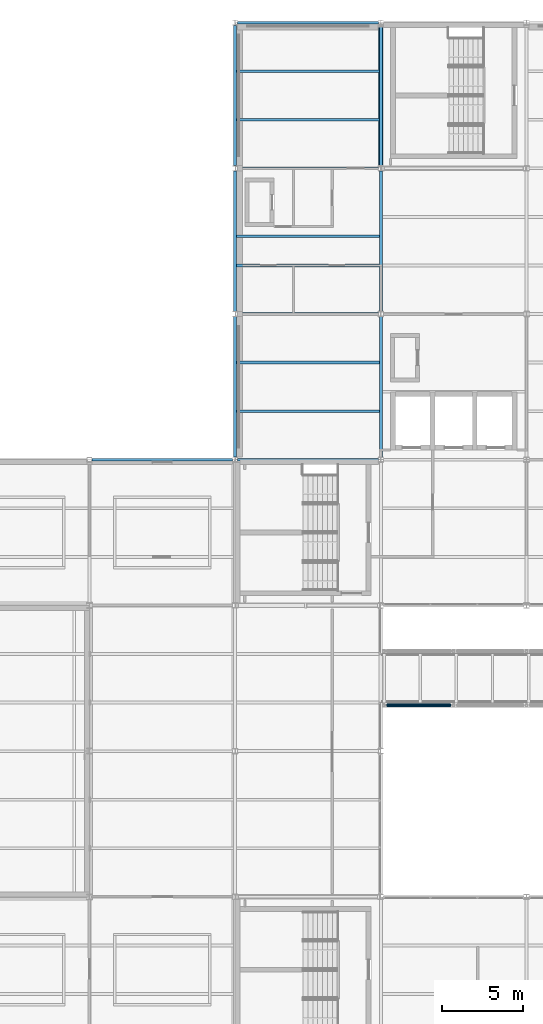
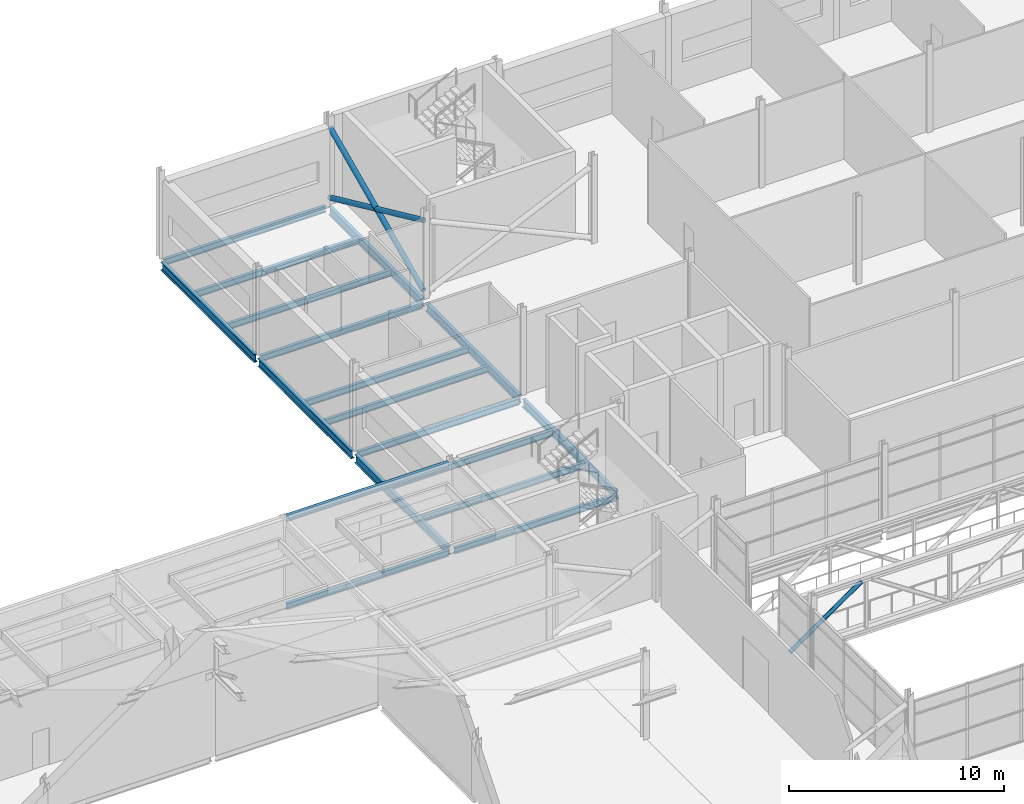
# One storey, part 50 of 115: 18 beams, 3 members.
"""IFC4 building model written with IfcOpenShell, lengths in metres."""

from ifc_helpers import new_model, si_unit, direction, frame, origin, origin_2d, place, context, subcontext, project, spatial, hollow_circle, i_section, extrude, material, material_profile, profile_set, type_object, element, save


model = new_model("IFC4")

# Units and contexts
model_context = context("Model", 3, precision=1e-05, world=origin(), true_north=direction((0.0, 1.0)))
body_context = subcontext(model_context, "Body", "Model", "MODEL_VIEW")
ifc_project = project(units=[si_unit("LENGTHUNIT", "METRE"), si_unit("AREAUNIT", "SQUARE_METRE"), si_unit("VOLUMEUNIT", "CUBIC_METRE"), si_unit("PLANEANGLEUNIT", "RADIAN"), si_unit("MASSUNIT", "GRAM", prefix="KILO")], contexts=[model_context])

# Site, building, storey
site_placement = place(None, origin())
site = spatial("IfcSite", under=ifc_project, at=site_placement, CompositionType="ELEMENT")
building_placement = place(site_placement, origin())
building = spatial("IfcBuilding", under=site, at=building_placement, Name="Shorebreak Coast Museum", CompositionType="ELEMENT")
storey_placement = place(building_placement, frame((0.0, 0.0, 11.0)))
storey = spatial("IfcBuildingStorey", under=building, at=storey_placement, Name="L02", CompositionType="ELEMENT", Elevation=11.0)

# Member
ifc_material_1 = material(Name="Steel Grade C350L0", Category="steel")
ifc_material_profile_1 = material_profile(ifc_material_1, hollow_circle(Radius=0.109619140625, WallThickness=0.00830078125, at=origin_2d()), Name="219.1x8.2 CHS")
ifc_profile_set_1 = profile_set([ifc_material_profile_1], Name="Steel Grade C350L0")
member_type_1 = type_object("IfcMemberType", Name="Atrium bridge truss diagonal 219.1x8.2 CHS", PredefinedType="BRACE", material=ifc_profile_set_1)
member_placement = place(storey_placement, frame((63.410888671875, 74.83740234375, -0.175048828125), z_axis=(0.820764739415, 0.0, 0.571266349904), x_axis=(0.0, 1.0, 0.0)))
element("IfcMember", 1, at=member_placement, inside=storey, type_object=member_type_1, Name="Atrium bridge truss BR1 side A diagonal D01", PredefinedType="BRACE", context=body_context, shape_type="SweptSolid", body=[
    extrude(hollow_circle(Radius=0.109619140625, WallThickness=0.00830078125, at=origin_2d()), origin(), (0.0, 0.0, 1.0), 4.712646484375),
])

# Beams
ifc_material_2 = material(Name="Steel Grade 300", Category="steel")
ifc_material_profile_2 = material_profile(ifc_material_2, i_section(OverallWidth=0.1708984375, OverallDepth=0.355712890625, WebThickness=0.00732421875, FlangeThickness=0.011474609375, FilletRadius=0.011474609375, at=origin_2d()), Name="360UB50.7")
ifc_profile_set_2 = profile_set([ifc_material_profile_2], Name="Steel Grade 300")
beam_type_1 = type_object("IfcBeamType", Name="Floor girder east-west 360UB50.7", PredefinedType="BEAM", material=ifc_profile_set_2)
beam_1_placement = place(storey_placement, frame((45.14990234375, 90.0, -0.352783203125), z_axis=(1.0, 0.0, 0.0), x_axis=(0.0, 1.0, 0.0)))
element("IfcBeam", 2, at=beam_1_placement, inside=storey, type_object=beam_type_1, Name="Floor girder east-west L02 6L", PredefinedType="BEAM", context=body_context, shape_type="SweptSolid", body=[
    extrude(i_section(OverallWidth=0.1708984375, OverallDepth=0.355712890625, WebThickness=0.00732421875, FlangeThickness=0.011474609375, FilletRadius=0.011474609375, at=origin_2d()), origin(), (0.0, 0.0, 1.0), 8.694580078125),
])
ifc_material_3 = material(Name="Steel Grade 300", Category="steel")
ifc_material_profile_3 = material_profile(ifc_material_3, i_section(OverallWidth=0.172119140625, OverallDepth=0.358642578125, WebThickness=0.008056640625, FlangeThickness=0.012939453125, FilletRadius=0.011474609375, at=origin_2d()), Name="360UB56.7")
ifc_profile_set_3 = profile_set([ifc_material_profile_3], Name="Steel Grade 300")
beam_type_2 = type_object("IfcBeamType", Name="Floor girder east-west 360UB56.7", PredefinedType="BEAM", material=ifc_profile_set_3)
beam_2_placement = place(storey_placement, frame((54.155517578125, 90.0, -0.354248046875), z_axis=(1.0, 0.0, 0.0), x_axis=(0.0, 1.0, 0.0)))
element("IfcBeam", 3, at=beam_2_placement, inside=storey, type_object=beam_type_2, Name="Floor girder east-west L02 7L", PredefinedType="BEAM", context=body_context, shape_type="SweptSolid", body=[
    extrude(i_section(OverallWidth=0.172119140625, OverallDepth=0.358642578125, WebThickness=0.008056640625, FlangeThickness=0.012939453125, FilletRadius=0.011474609375, at=origin_2d()), origin(), (0.0, 0.0, 1.0), 8.68896484375),
])
for number, where, z_axis, x_axis, name in (
    (4, (54.154541015625, 99.0, -0.354248046875), (1.0, 0.0, 0.0), (0.0, 1.0, 0.0), "Floor girder east-west L02 7M"),
    (5, (54.154541015625, 108.0, -0.354248046875), (1.0, 0.0, 0.0), (0.0, 1.0, 0.0), "Floor girder east-west L02 7N"),
):
    element("IfcBeam", number, at=place(storey_placement, frame(where, z_axis=z_axis, x_axis=x_axis)), inside=storey, type_object=beam_type_2, Name=name, PredefinedType="BEAM", context=body_context, shape_type="SweptSolid", body=[
        extrude(i_section(OverallWidth=0.172119140625, OverallDepth=0.358642578125, WebThickness=0.008056640625, FlangeThickness=0.012939453125, FilletRadius=0.011474609375, at=origin_2d()), origin(), (0.0, 0.0, 1.0), 8.69091796875),
    ])
beam_3_placement = place(storey_placement, frame((54.155517578125, 117.0, -0.354248046875), z_axis=(1.0, 0.0, 0.0), x_axis=(0.0, 1.0, 0.0)))
element("IfcBeam", 6, at=beam_3_placement, inside=storey, type_object=beam_type_2, Name="Floor girder east-west L02 7P", PredefinedType="BEAM", context=body_context, shape_type="SweptSolid", body=[
    extrude(i_section(OverallWidth=0.172119140625, OverallDepth=0.358642578125, WebThickness=0.008056640625, FlangeThickness=0.012939453125, FilletRadius=0.011474609375, at=origin_2d()), origin(), (0.0, 0.0, 1.0), 8.68896484375),
])
ifc_material_4 = material(Name="Steel Grade 300", Category="steel")
ifc_material_profile_4 = material_profile(ifc_material_4, i_section(OverallWidth=0.19091796875, OverallDepth=0.46044921875, WebThickness=0.010009765625, FlangeThickness=0.01611328125, FilletRadius=0.011474609375, at=origin_2d()), Name="460UB82.1")
ifc_profile_set_4 = profile_set([ifc_material_profile_4], Name="Steel Grade 300")
beam_type_3 = type_object("IfcBeamType", Name="Floor girder north-south 460UB82.1", PredefinedType="BEAM", material=ifc_profile_set_4)
for number, where, z_axis, x_axis, name in (
    (7, (54.0, 90.16357421875, -0.4052734375), (0.0, 1.0, 0.0), (-1.0, 0.0, 0.0), "Floor girder north-south L02 7L"),
    (8, (63.0, 90.16357421875, -0.4052734375), (0.0, 1.0, 0.0), (-1.0, 0.0, 0.0), "Floor girder north-south L02 8L"),
):
    element("IfcBeam", number, at=place(storey_placement, frame(where, z_axis=z_axis, x_axis=x_axis)), inside=storey, type_object=beam_type_3, Name=name, PredefinedType="BEAM", context=body_context, shape_type="SweptSolid", body=[
        extrude(i_section(OverallWidth=0.19091796875, OverallDepth=0.46044921875, WebThickness=0.010009765625, FlangeThickness=0.01611328125, FilletRadius=0.011474609375, at=origin_2d()), origin(), (0.0, 0.0, 1.0), 8.676025390625),
    ])
for number, where, z_axis, x_axis, name in (
    (9, (54.0, 99.160400390625, -0.4052734375), (0.0, 1.0, 0.0), (-1.0, 0.0, 0.0), "Floor girder north-south L02 7M"),
    (10, (63.0, 99.160400390625, -0.4052734375), (0.0, 1.0, 0.0), (-1.0, 0.0, 0.0), "Floor girder north-south L02 8M"),
):
    element("IfcBeam", number, at=place(storey_placement, frame(where, z_axis=z_axis, x_axis=x_axis)), inside=storey, type_object=beam_type_3, Name=name, PredefinedType="BEAM", context=body_context, shape_type="SweptSolid", body=[
        extrude(i_section(OverallWidth=0.19091796875, OverallDepth=0.46044921875, WebThickness=0.010009765625, FlangeThickness=0.01611328125, FilletRadius=0.011474609375, at=origin_2d()), origin(), (0.0, 0.0, 1.0), 8.67919921875),
    ])
for number, where, z_axis, x_axis, name in (
    (11, (54.0, 108.160400390625, -0.4052734375), (0.0, 1.0, 0.0), (-1.0, 0.0, 0.0), "Floor girder north-south L02 7N"),
    (12, (63.0, 108.160400390625, -0.4052734375), (0.0, 1.0, 0.0), (-1.0, 0.0, 0.0), "Floor girder north-south L02 8N"),
):
    element("IfcBeam", number, at=place(storey_placement, frame(where, z_axis=z_axis, x_axis=x_axis)), inside=storey, type_object=beam_type_3, Name=name, PredefinedType="BEAM", context=body_context, shape_type="SweptSolid", body=[
        extrude(i_section(OverallWidth=0.19091796875, OverallDepth=0.46044921875, WebThickness=0.010009765625, FlangeThickness=0.01611328125, FilletRadius=0.011474609375, at=origin_2d()), origin(), (0.0, 0.0, 1.0), 8.676025390625),
    ])
ifc_material_5 = material(Name="Steel Grade 300", Category="steel")
ifc_material_profile_5 = material_profile(ifc_material_5, i_section(OverallWidth=0.1708984375, OverallDepth=0.35205078125, WebThickness=0.0068359375, FlangeThickness=0.009765625, FilletRadius=0.011474609375, at=origin_2d()), Name="360UB44.7")
ifc_profile_set_5 = profile_set([ifc_material_profile_5], Name="Steel Grade 300")
beam_type_4 = type_object("IfcBeamType", Name="Floor joist 360UB44.7", PredefinedType="JOIST", material=ifc_profile_set_5)
for number, where, z_axis, x_axis, name in (
    (13, (54.095458984375, 93.0, -0.35107421875), (1.0, 0.0, 0.0), (0.0, 1.0, 0.0), "Floor joist L02 bay 7L at 3000 mm"),
    (14, (54.095458984375, 96.0, -0.35107421875), (1.0, 0.0, 0.0), (0.0, 1.0, 0.0), "Floor joist L02 bay 7L at 6000 mm"),
    (15, (54.095458984375, 102.0, -0.35107421875), (1.0, 0.0, 0.0), (0.0, 1.0, 0.0), "Floor joist L02 bay 7M at 3000 mm"),
    (16, (54.095458984375, 103.800048828125, -0.35107421875), (1.0, 0.0, 0.0), (0.0, 1.0, 0.0), "Floor joist L02 bay 7M at 4800 mm"),
    (17, (54.095458984375, 111.0, -0.35107421875), (1.0, 0.0, 0.0), (0.0, 1.0, 0.0), "Floor joist L02 bay 7N at 3000 mm"),
    (18, (54.095458984375, 114.0, -0.35107421875), (1.0, 0.0, 0.0), (0.0, 1.0, 0.0), "Floor joist L02 bay 7N at 6000 mm"),
):
    element("IfcBeam", number, at=place(storey_placement, frame(where, z_axis=z_axis, x_axis=x_axis)), inside=storey, type_object=beam_type_4, Name=name, PredefinedType="JOIST", context=body_context, shape_type="SweptSolid", body=[
        extrude(i_section(OverallWidth=0.1708984375, OverallDepth=0.35205078125, WebThickness=0.0068359375, FlangeThickness=0.009765625, FilletRadius=0.011474609375, at=origin_2d()), origin(), (0.0, 0.0, 1.0), 8.80908203125),
    ])
ifc_material_6 = material(Name="Steel Grade 300", Category="steel")
ifc_material_profile_6 = material_profile(ifc_material_6, i_section(OverallWidth=0.1708984375, OverallDepth=0.355712890625, WebThickness=0.00732421875, FlangeThickness=0.011474609375, FilletRadius=0.011474609375, at=origin_2d()), Name="360UB50.7")
ifc_profile_set_6 = profile_set([ifc_material_profile_6], Name="Steel Grade 300")
beam_type_5 = type_object("IfcBeamType", Name="Roof deck girder east-west 360UB50.7", PredefinedType="BEAM", material=ifc_profile_set_6)
beam_4_placement = place(storey_placement, frame((45.14990234375, 90.0, 4.647216796875), z_axis=(1.0, 0.0, 0.0), x_axis=(0.0, 1.0, 0.0)))
element("IfcBeam", 19, at=beam_4_placement, inside=storey, type_object=beam_type_5, Name="Roof deck girder east-west L03 6L", PredefinedType="BEAM", context=body_context, shape_type="SweptSolid", body=[
    extrude(i_section(OverallWidth=0.1708984375, OverallDepth=0.355712890625, WebThickness=0.00732421875, FlangeThickness=0.011474609375, FilletRadius=0.011474609375, at=origin_2d()), origin(), (0.0, 0.0, 1.0), 8.694580078125),
])

# Members
ifc_material_7 = material(Name="Steel Grade C350L0", Category="steel")
ifc_material_profile_7 = material_profile(ifc_material_7, hollow_circle(Radius=0.136474609375, WallThickness=0.00927734375, at=origin_2d()), Name="273.1x9.3 CHS")
ifc_profile_set_7 = profile_set([ifc_material_profile_7], Name="Steel Grade C350L0")
member_type_2 = type_object("IfcMemberType", Name="X-brace 273.1x9.3 CHS", PredefinedType="BRACE", material=ifc_profile_set_7)
for number, where, z_axis, x_axis, name in (
    (20, (63.0, 108.1572265625, 0.300048828125), (0.0, 0.909188291089, 0.416385219894), (-1.0, 0.0, 0.0), "X-brace bay 10 L02 diagonal 1"),
    (21, (63.0, 116.83642578125, 0.300048828125), (0.0, -0.909188291089, 0.416385219894), (1.0, 0.0, 0.0), "X-brace bay 10 L02 diagonal 2"),
):
    element("IfcMember", number, at=place(storey_placement, frame(where, z_axis=z_axis, x_axis=x_axis)), inside=storey, type_object=member_type_2, Name=name, PredefinedType="BRACE", context=body_context, shape_type="SweptSolid", body=[
        extrude(hollow_circle(Radius=0.136474609375, WallThickness=0.00927734375, at=origin_2d()), origin(), (0.0, 0.0, 1.0), 9.546142578125),
    ])

save(model, "model.ifc")
